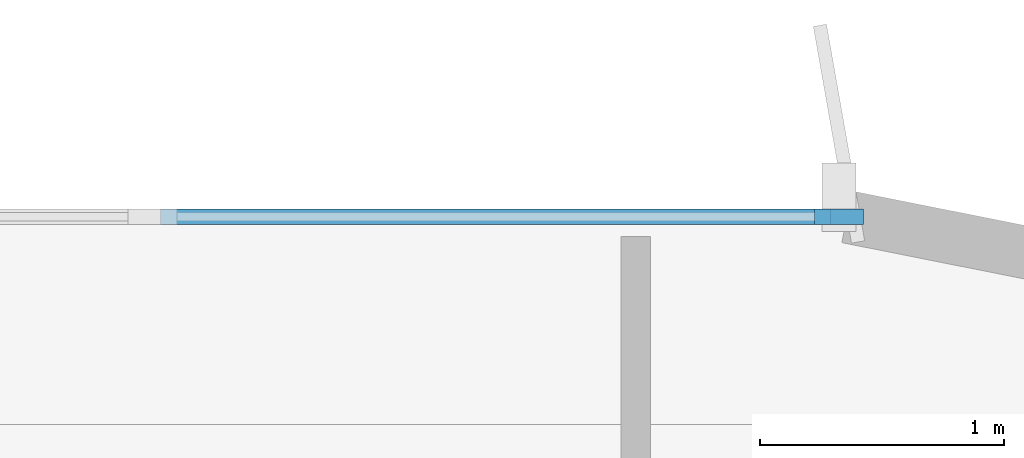
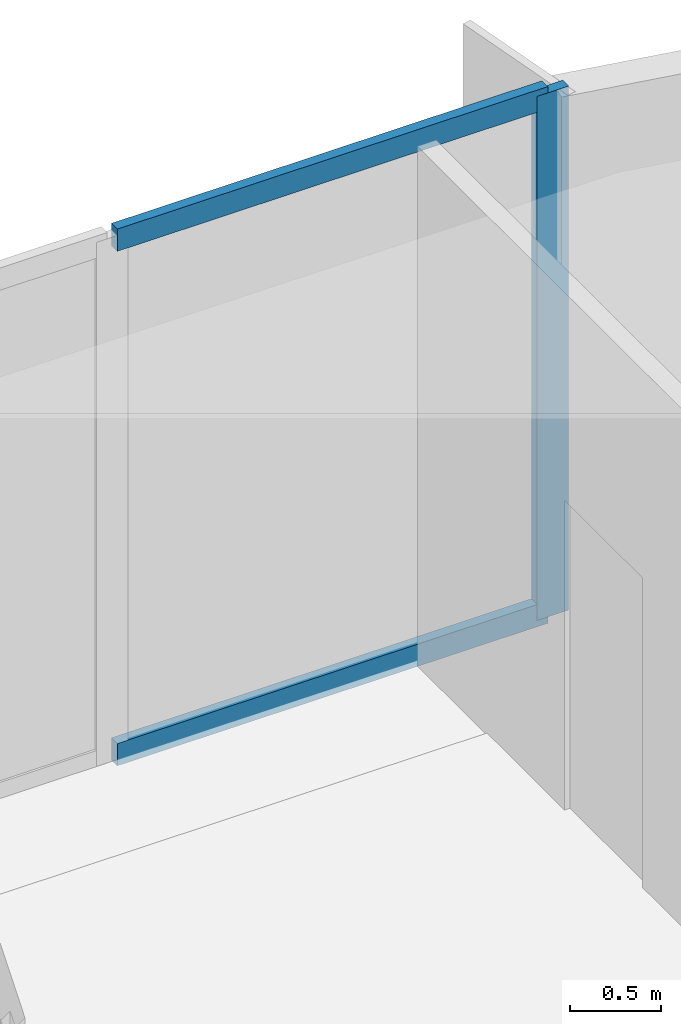
# One storey, part 8 of 19: 3 members, 1 element without a shape of its own.
"""IFC4 building model written with IfcOpenShell, lengths in metres."""

import ifcopenshell
import ifcopenshell.guid

model = None  # the IFC model being written
_history = None  # IfcOwnerHistory: only IFC2X3 demands one
_inside = {}  # id of a spatial element -> (the spatial element, [elements in it])
_under = {}  # id of a project, library or spatial element -> (it, [spatial elements below it])
_declared = {}  # id of a project -> (the project, [libraries it declares])
_typed = {}  # id of a type object -> (the type object, [elements of that type])
_made_of = {}  # id of a material, layer set ... -> (it, [elements and type objects made of it])


def new_model(schema):
    """Start an empty IFC model of exactly this schema.

    Asked for "IFC4X3", IfcOpenShell would pick the latest addendum, in which some entities
    have other attributes; the version numbers below select the first issue.
    IFC2X3 requires an IfcOwnerHistory on every rooted entity: one is made here for all.
    """
    global model, _history
    if schema == "IFC4X3":
        model = ifcopenshell.file(schema_version=(4, 3, 0, 0))
    else:
        model = ifcopenshell.file(schema=schema)
    _inside.clear()
    _under.clear()
    _declared.clear()
    _typed.clear()
    _made_of.clear()
    _history = None
    if model.schema == "IFC2X3":
        org = make("IfcOrganization", Name="unknown")
        user = make(
            "IfcPersonAndOrganization",
            ThePerson=make("IfcPerson", FamilyName="unknown"),
            TheOrganization=org,
        )
        app = make(
            "IfcApplication",
            ApplicationDeveloper=org,
            Version="unknown",
            ApplicationFullName="unknown",
            ApplicationIdentifier="unknown",
        )
        _history = make(
            "IfcOwnerHistory",
            OwningUser=user,
            OwningApplication=app,
            ChangeAction="ADDED",
            CreationDate=0,
        )
    return model


def make(cls, **values):
    """One entity of the class cls with the attributes given. An attribute that is None is left unset."""
    return model.create_entity(
        cls, **{name: value for name, value in values.items() if value is not None}
    )


def rooted(cls, **values):
    """An entity with a GlobalId (a new one), such as an element, a storey or a relation."""
    return make(cls, GlobalId=ifcopenshell.guid.new(), OwnerHistory=_history, **values)


def si_unit(unit_type, name, prefix=None):
    """IfcSIUnit, for example si_unit("LENGTHUNIT", "METRE", prefix="MILLI")."""
    return make("IfcSIUnit", UnitType=unit_type, Prefix=prefix, Name=name)


def assignment(units):
    """IfcUnitAssignment: the units of a project."""
    return None if units is None else make("IfcUnitAssignment", Units=units)


def point(xyz):
    """IfcCartesianPoint."""
    return None if xyz is None else make("IfcCartesianPoint", Coordinates=xyz)


def direction(xyz):
    """IfcDirection."""
    return None if xyz is None else make("IfcDirection", DirectionRatios=xyz)


def frame(location, z_axis=None, x_axis=None):
    """IfcAxis2Placement3D, a coordinate frame: its origin and axes. An axis left out is left unset."""
    return make(
        "IfcAxis2Placement3D",
        Location=point(location),
        Axis=direction(z_axis),
        RefDirection=direction(x_axis),
    )


def frame_2d(location, x_axis=None):
    """IfcAxis2Placement2D, a coordinate frame in the plane: its origin and x axis."""
    return make(
        "IfcAxis2Placement2D", Location=point(location), RefDirection=direction(x_axis)
    )


def origin():
    """The frame at (0, 0, 0) with its axes left unset."""
    return frame((0.0, 0.0, 0.0))


def origin_2d():
    """The frame at (0, 0) in the plane with its x axis left unset."""
    return frame_2d((0.0, 0.0))


def place(relative_to, where):
    """IfcLocalPlacement: puts the frame where relative to a parent placement (None: the world)."""
    return make(
        "IfcLocalPlacement", PlacementRelTo=relative_to, RelativePlacement=where
    )


def context(
    kind, dimensions, precision=None, world=None, true_north=None, identifier=None
):
    """IfcGeometricRepresentationContext, for example the 3D "Model" context."""
    return make(
        "IfcGeometricRepresentationContext",
        ContextIdentifier=identifier,
        ContextType=kind,
        CoordinateSpaceDimension=dimensions,
        Precision=precision,
        WorldCoordinateSystem=world,
        TrueNorth=true_north,
    )


def subcontext(parent, identifier, kind, view, scale=None):
    """IfcGeometricRepresentationSubContext, for example "Body" below "Model"."""
    return make(
        "IfcGeometricRepresentationSubContext",
        ContextIdentifier=identifier,
        ContextType=kind,
        ParentContext=parent,
        TargetScale=scale,
        TargetView=view,
    )


def project(units=None, contexts=None):
    """IfcProject with its units and contexts."""
    return rooted(
        "IfcProject",
        Name="project",
        RepresentationContexts=contexts,
        UnitsInContext=assignment(units),
    )


def spatial(cls, under=None, at=None, **own):
    """A site, building, storey or space (cls), placed at a placement, below another one or the project."""
    s = rooted(cls, ObjectPlacement=at, **own)
    if under is not None:
        _under.setdefault(under.id(), (under, []))[1].append(s)
    return s


def profile(cls, at=None, kind="AREA", **sizes):
    """A parametric profile (cls). Its sizes go by their IFC names, for example OverallWidth=200.0."""
    return make(cls, ProfileType=kind, Position=at, **sizes)


def rectangle(**sizes):
    """IfcRectangleProfileDef."""
    return profile("IfcRectangleProfileDef", **sizes)


def extrude(swept, where, along, depth):
    """IfcExtrudedAreaSolid: the profile swept, set in the frame where, extruded along a direction by depth."""
    return make(
        "IfcExtrudedAreaSolid",
        SweptArea=swept,
        Position=where,
        ExtrudedDirection=direction(along),
        Depth=depth,
    )


def shape(context_of_items, identifier, shape_type, items):
    """IfcShapeRepresentation: the items that make up one representation, for example the "Body"."""
    return make(
        "IfcShapeRepresentation",
        ContextOfItems=context_of_items,
        RepresentationIdentifier=identifier,
        RepresentationType=shape_type,
        Items=items,
    )


def source(mapping_origin, context_of_items, identifier, shape_type, items):
    """IfcRepresentationMap: a shape defined once, which mapped items show again and again."""
    return make(
        "IfcRepresentationMap",
        MappingOrigin=mapping_origin,
        MappedRepresentation=shape(context_of_items, identifier, shape_type, items),
    )


def transform(
    local_origin,
    x_axis=None,
    y_axis=None,
    z_axis=None,
    scale=None,
    scale2=None,
    scale3=None,
    uniform=True,
):
    """IfcCartesianTransformationOperator3D, or its non-uniform kind. x_axis, y_axis, z_axis: its Axis1, 2, 3."""
    if uniform:
        return make(
            "IfcCartesianTransformationOperator3D",
            Axis1=direction(x_axis),
            Axis2=direction(y_axis),
            LocalOrigin=point(local_origin),
            Scale=scale,
            Axis3=direction(z_axis),
        )
    return make(
        "IfcCartesianTransformationOperator3DnonUniform",
        Axis1=direction(x_axis),
        Axis2=direction(y_axis),
        LocalOrigin=point(local_origin),
        Scale=scale,
        Axis3=direction(z_axis),
        Scale2=scale2,
        Scale3=scale3,
    )


def mapped(mapping_source, mapping_target):
    """IfcMappedItem: shows the shape of a source again, moved by a transform."""
    return make(
        "IfcMappedItem", MappingSource=mapping_source, MappingTarget=mapping_target
    )


def material(Name=None, Category=None):
    """IfcMaterial."""
    return make("IfcMaterial", Name=Name, Category=Category)


def layer(
    of_material, thickness, ventilated=None, Name=None, Category=None, Priority=None
):
    """IfcMaterialLayer: one layer of a wall or slab, of a material (None: an air gap)."""
    return make(
        "IfcMaterialLayer",
        Material=of_material,
        LayerThickness=thickness,
        IsVentilated=ventilated,
        Name=Name,
        Category=Category,
        Priority=Priority,
    )


def layer_set(layers, Name=None):
    """IfcMaterialLayerSet."""
    return make("IfcMaterialLayerSet", MaterialLayers=layers, LayerSetName=Name)


def material_profile(
    of_material, cross_section, Name=None, Category=None, Priority=None
):
    """IfcMaterialProfile: a cross section and its material."""
    return make(
        "IfcMaterialProfile",
        Name=Name,
        Material=of_material,
        Profile=cross_section,
        Priority=Priority,
        Category=Category,
    )


def profile_set(profiles, Name=None, composite=None):
    """IfcMaterialProfileSet."""
    return make(
        "IfcMaterialProfileSet",
        Name=Name,
        MaterialProfiles=profiles,
        CompositeProfile=composite,
    )


def made_of(thing, what):
    """Note that an element or type object is made of a material, layer set ...; save() writes the relation."""
    if what is not None:
        _made_of.setdefault(what.id(), (what, []))[1].append(thing)
    return thing


def type_object(cls, material=None, **own):
    """A type object (cls), such as IfcWallType, which elements share."""
    return made_of(rooted(cls, **own), material)


def element(
    cls,
    number,
    at=None,
    inside=None,
    cuts=None,
    type_object=None,
    material=None,
    context=None,
    identifier="Body",
    shape_type=None,
    held_by="IfcProductDefinitionShape",
    body=None,
    shapes=None,
    **own,
):
    """One element of the class cls, such as IfcWall. Its Tag is "e" and its number.

    at: its placement. inside: the storey or other place that contains it. cuts: it is an
    opening in that element (IfcRelVoidsElement). A single representation is given by context,
    identifier, shape_type and body (its items); several are given by shapes. held_by: the class
    of the entity that holds the representations. save() writes the other relations.
    """
    e = rooted(cls, Tag="e%d" % number, ObjectPlacement=at, **own)
    if body is not None:
        shapes = [shape(context, identifier, shape_type, body)]
    if shapes is not None:
        e.Representation = make(held_by, Representations=shapes)
    if inside is not None:
        _inside.setdefault(inside.id(), (inside, []))[1].append(e)
    if cuts is not None:
        rooted(
            "IfcRelVoidsElement", RelatingBuildingElement=cuts, RelatedOpeningElement=e
        )
    if type_object is not None:
        _typed.setdefault(type_object.id(), (type_object, []))[1].append(e)
    return made_of(e, material)


def aggregate(whole, parts):
    """IfcRelAggregates: a whole, such as a stair, and the parts it consists of."""
    return rooted("IfcRelAggregates", RelatingObject=whole, RelatedObjects=parts)


def save(model, path):
    """Write the relations noted so far, then the file.

    IfcRelAggregates (storeys below a building ...), IfcRelContainedInSpatialStructure (elements
    in a storey), IfcRelDefinesByType, IfcRelAssociatesMaterial and IfcRelDeclares: one each for
    every whole, place, type object, material and project.
    """
    for whole, parts in _under.values():
        aggregate(whole, parts)
    for where, things in _inside.values():
        rooted(
            "IfcRelContainedInSpatialStructure",
            RelatedElements=things,
            RelatingStructure=where,
        )
    for kind, things in _typed.values():
        rooted("IfcRelDefinesByType", RelatedObjects=things, RelatingType=kind)
    for what, things in _made_of.values():
        rooted("IfcRelAssociatesMaterial", RelatedObjects=things, RelatingMaterial=what)
    for by, libraries in _declared.values():
        rooted("IfcRelDeclares", RelatingContext=by, RelatedDefinitions=libraries)
    model.write(path)


model = new_model("IFC4")

# Units and contexts
model_context = context("Model", 3, precision=1e-05, world=origin(), true_north=direction((0.0, 1.0)))
body_context = subcontext(model_context, "Body", "Model", "MODEL_VIEW")
ifc_project = project(units=[si_unit("LENGTHUNIT", "METRE"), si_unit("AREAUNIT", "SQUARE_METRE"), si_unit("VOLUMEUNIT", "CUBIC_METRE"), si_unit("PLANEANGLEUNIT", "RADIAN"), si_unit("MASSUNIT", "GRAM", prefix="KILO")], contexts=[model_context])

# Site, building, storey
site_placement = place(None, origin())
site = spatial("IfcSite", under=ifc_project, at=site_placement, CompositionType="ELEMENT")
building_placement = place(site_placement, origin())
building = spatial("IfcBuilding", under=site, at=building_placement, Name="Brelvock Crest Care Tower", CompositionType="ELEMENT")
storey_placement = place(building_placement, frame((0.0, 0.0, 30.780029296875)))
storey = spatial("IfcBuildingStorey", under=building, at=storey_placement, Name="L07", CompositionType="ELEMENT", Elevation=30.780029296875)

# Curtain wall, members
ifc_material_1 = material(Name="Dark Glass Double Glazed Low-E", Category="glass")
ifc_layer = layer(ifc_material_1, 0.195068359375, Name="CWS-2")
ifc_layer_set = layer_set([ifc_layer], Name="Dark Glass Double Glazed Low-E")
curtain_wall_type = type_object("IfcCurtainWallType", Name="CWS-2", PredefinedType="NOTDEFINED", material=ifc_layer_set)
curtain_wall_placement = place(storey_placement, origin())
curtain_wall = element("IfcCurtainWall", 1, at=curtain_wall_placement, inside=storey, type_object=curtain_wall_type, Name="L07 Curtain Wall E30", PredefinedType="NOTDEFINED")
ifc_material_2 = material(Name="Aluminium 6063-T6", Category="aluminium")
ifc_material_profile_1 = material_profile(ifc_material_2, rectangle(XDim=0.06494140625, YDim=0.199951171875, at=origin_2d()), Name="ALU65x200")
ifc_profile_set_1 = profile_set([ifc_material_profile_1], Name="Aluminium 6063-T6")
member_type_1 = type_object("IfcMemberType", Name="CWM-1", PredefinedType="MULLION", material=ifc_profile_set_1)
shared_shape_1 = source(origin(), body_context, "Body", "SweptSolid", [
    extrude(rectangle(XDim=0.06494140625, YDim=0.199951171875, at=origin_2d()), origin(), (0.0, 0.0, 1.0), 3.530029296875),
])
member_1_placement = place(storey_placement, frame((56.767578125, 36.0, 0.0), z_axis=(0.0, 0.0, 1.0), x_axis=(0.0, 1.0, 0.0)))
member_1 = element("IfcMember", 2, at=member_1_placement, type_object=member_type_1, Name="CW-2 mullion 6", PredefinedType="MULLION", context=body_context, shape_type="MappedRepresentation", body=[
    mapped(shared_shape_1, transform((0.0, 0.0, 0.0), x_axis=(1.0, 0.0, 0.0), y_axis=(0.0, 1.0, 0.0), z_axis=(0.0, 0.0, 1.0), scale=1.0)),
])
ifc_material_profile_2 = material_profile(ifc_material_2, rectangle(XDim=0.06494140625, YDim=0.14990234375, at=origin_2d()), Name="ALU65x150")
ifc_profile_set_2 = profile_set([ifc_material_profile_2], Name="Aluminium 6063-T6")
member_type_2 = type_object("IfcMemberType", Name="CWT-1", PredefinedType="USERDEFINED", material=ifc_profile_set_2)
shared_shape_2 = source(origin(), body_context, "Body", "SweptSolid", [
    extrude(rectangle(XDim=0.06494140625, YDim=0.14990234375, at=origin_2d()), origin(), (0.0, 0.0, 1.0), 2.74267578125),
])
member_2_placement = place(storey_placement, frame((53.992431640625, 36.0, 0.032470703125), z_axis=(1.0, 0.0, 0.0), x_axis=(0.0, 1.0, 0.0)))
member_2 = element("IfcMember", 3, at=member_2_placement, type_object=member_type_2, Name="CW-2 transom 5.1", ObjectType="TRANSOM", PredefinedType="USERDEFINED", context=body_context, shape_type="MappedRepresentation", body=[
    mapped(shared_shape_2, transform((0.0, 0.0, 0.0), x_axis=(1.0, 0.0, 0.0), y_axis=(0.0, 1.0, 0.0), z_axis=(0.0, 0.0, 1.0), scale=1.0)),
])
member_3_placement = place(storey_placement, frame((53.992431640625, 36.0, 3.49755859375), z_axis=(1.0, 0.0, 0.0), x_axis=(0.0, 1.0, 0.0)))
member_3 = element("IfcMember", 4, at=member_3_placement, type_object=member_type_2, Name="CW-2 transom 5.2", ObjectType="TRANSOM", PredefinedType="USERDEFINED", context=body_context, shape_type="MappedRepresentation", body=[
    mapped(shared_shape_2, transform((0.0, 0.0, 0.0), x_axis=(1.0, 0.0, 0.0), y_axis=(0.0, 1.0, 0.0), z_axis=(0.0, 0.0, 1.0), scale=1.0)),
])
aggregate(curtain_wall, [member_1, member_2, member_3])

save(model, "model.ifc")
